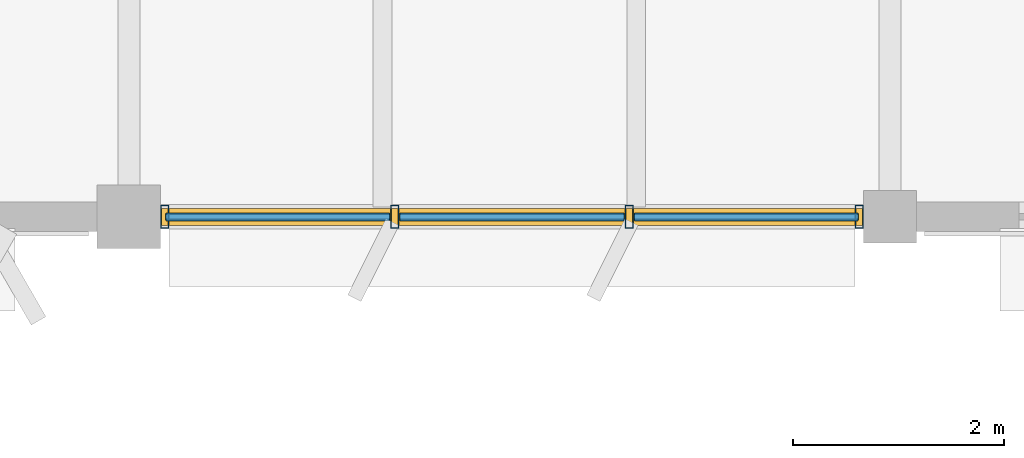
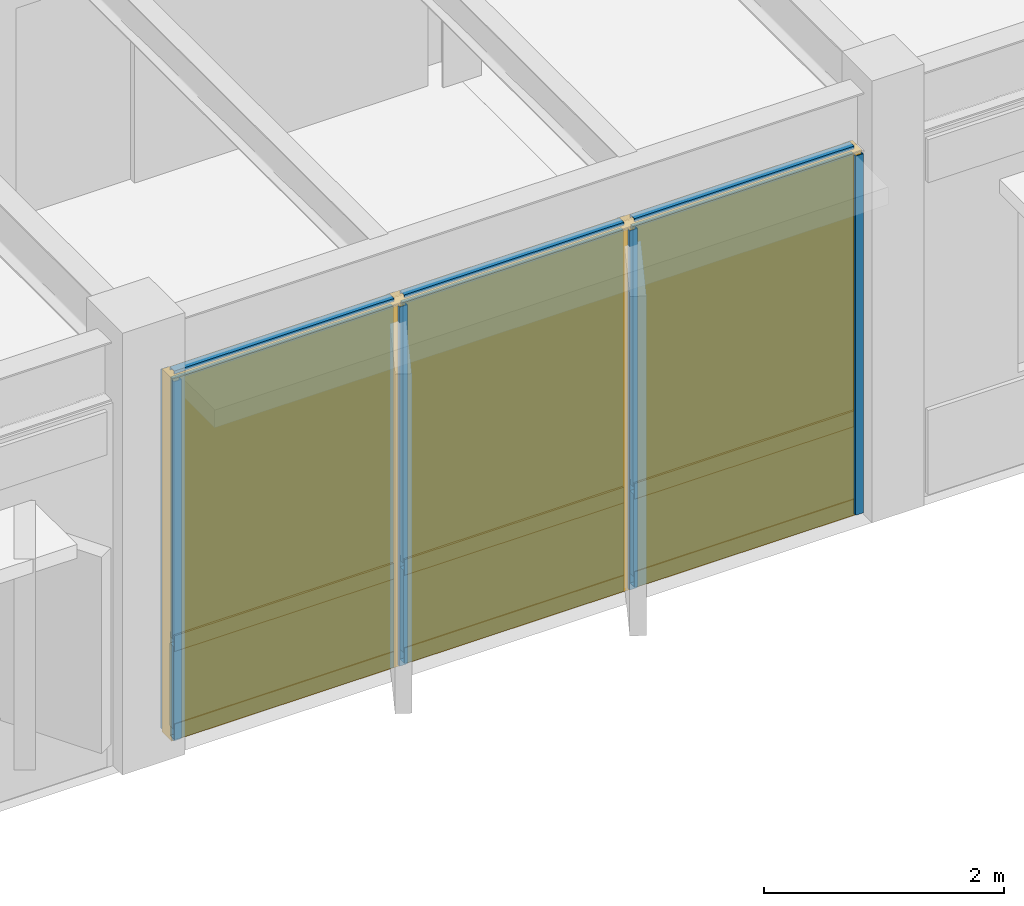
# One storey, part 64 of 92: 13 members, 6 plates, 1 curtain wall.
"""IFC4 building model written with IfcOpenShell, lengths in metres."""

from ifc_helpers import new_model, si_unit, direction, frame, origin, origin_2d, place, context, subcontext, project, spatial, rectangle, hollow_rectangle, extrude, material, layer, layer_set, material_profile, profile_set, type_object, element, aggregate, save


model = new_model("IFC4")

# Units and contexts
model_context = context("Model", 3, precision=1e-05, world=origin(), true_north=direction((0.0, 1.0)))
body_context = subcontext(model_context, "Body", "Model", "MODEL_VIEW")
ifc_project = project(units=[si_unit("LENGTHUNIT", "METRE"), si_unit("AREAUNIT", "SQUARE_METRE"), si_unit("VOLUMEUNIT", "CUBIC_METRE"), si_unit("PLANEANGLEUNIT", "RADIAN"), si_unit("MASSUNIT", "GRAM", prefix="KILO")], contexts=[model_context])

# Member
ifc_material_1 = material(Name="Anodized Aluminium 6063-T6", Category="aluminium")
ifc_material_profile_1 = material_profile(ifc_material_1, hollow_rectangle(XDim=0.074951171875, YDim=0.219970703125, WallThickness=0.0048828125, at=origin_2d()), Name="ALU 75x220x5")
ifc_profile_set_1 = profile_set([ifc_material_profile_1], Name="Anodized Aluminium 6063-T6")
member_type_1 = type_object("IfcMemberType", Name="CWM-75X180", PredefinedType="MULLION", material=ifc_profile_set_1)
site_placement = place(None, origin())
building_placement = place(site_placement, origin())
storey_placement = place(building_placement, frame((0.0, 0.0, 5.39990234375)))
member_1_placement = place(storey_placement, frame((114.909912109375, 79.199951171875, 0.02001953125), z_axis=(0.0, 0.0, 1.0), x_axis=(1.0, 0.0, 0.0)))
member_1 = element("IfcMember", 1, at=member_1_placement, type_object=member_type_1, Name="Curtain wall mullion CW-L02-15-11-S-00", PredefinedType="MULLION", context=body_context, shape_type="SweptSolid", body=[
    extrude(hollow_rectangle(XDim=0.074951171875, YDim=0.219970703125, WallThickness=0.0048828125, at=origin_2d()), origin(), (0.0, 0.0, 1.0), 3.657958984375),
])

member_2_placement = place(storey_placement, frame((112.7333984375, 79.199951171875, 0.02001953125), z_axis=(0.0, 0.0, 1.0), x_axis=(1.0, 0.0, 0.0)))
member_2 = element("IfcMember", 2, at=member_2_placement, type_object=member_type_1, Name="Curtain wall mullion CW-L02-15-11-S-01", PredefinedType="MULLION", context=body_context, shape_type="SweptSolid", body=[
    extrude(hollow_rectangle(XDim=0.074951171875, YDim=0.219970703125, WallThickness=0.0048828125, at=origin_2d()), origin(), (0.0, 0.0, 1.0), 3.657958984375),
])

member_3_placement = place(storey_placement, frame((110.5166015625, 79.199951171875, 0.02001953125), z_axis=(0.0, 0.0, 1.0), x_axis=(1.0, 0.0, 0.0)))
member_3 = element("IfcMember", 3, at=member_3_placement, type_object=member_type_1, Name="Curtain wall mullion CW-L02-15-11-S-02", PredefinedType="MULLION", context=body_context, shape_type="SweptSolid", body=[
    extrude(hollow_rectangle(XDim=0.074951171875, YDim=0.219970703125, WallThickness=0.0048828125, at=origin_2d()), origin(), (0.0, 0.0, 1.0), 3.657958984375),
])

member_4_placement = place(storey_placement, frame((108.340087890625, 79.199951171875, 0.02001953125), z_axis=(0.0, 0.0, 1.0), x_axis=(1.0, 0.0, 0.0)))
member_4 = element("IfcMember", 4, at=member_4_placement, type_object=member_type_1, Name="Curtain wall mullion CW-L02-15-11-S-03", PredefinedType="MULLION", context=body_context, shape_type="SweptSolid", body=[
    extrude(hollow_rectangle(XDim=0.074951171875, YDim=0.219970703125, WallThickness=0.0048828125, at=origin_2d()), origin(), (0.0, 0.0, 1.0), 3.657958984375),
])

ifc_material_profile_2 = material_profile(ifc_material_1, hollow_rectangle(XDim=0.074951171875, YDim=0.159912109375, WallThickness=0.00390625, at=origin_2d()), Name="ALU 75x160x4")
ifc_profile_set_2 = profile_set([ifc_material_profile_2], Name="Anodized Aluminium 6063-T6")
member_type_2 = type_object("IfcMemberType", Name="CWT-75X150", PredefinedType="USERDEFINED", material=ifc_profile_set_2)
member_5_placement = place(storey_placement, frame((114.89990234375, 79.199951171875, 0.050048828125), z_axis=(-1.0, 0.0, 0.0), x_axis=(0.0, -1.0, 0.0)))
member_5 = element("IfcMember", 5, at=member_5_placement, type_object=member_type_2, Name="Curtain wall transom CW-L02-15-11-S-1.01", ObjectType="TRANSOM", PredefinedType="USERDEFINED", context=body_context, shape_type="SweptSolid", body=[
    extrude(hollow_rectangle(XDim=0.074951171875, YDim=0.159912109375, WallThickness=0.00390625, at=origin_2d()), origin(), (0.0, 0.0, 1.0), 2.11669921875),
])

member_6_placement = place(storey_placement, frame((112.683349609375, 79.199951171875, 0.050048828125), z_axis=(-1.0, 0.0, 0.0), x_axis=(0.0, -1.0, 0.0)))
member_6 = element("IfcMember", 6, at=member_6_placement, type_object=member_type_2, Name="Curtain wall transom CW-L02-15-11-S-1.02", ObjectType="TRANSOM", PredefinedType="USERDEFINED", context=body_context, shape_type="SweptSolid", body=[
    extrude(hollow_rectangle(XDim=0.074951171875, YDim=0.159912109375, WallThickness=0.00390625, at=origin_2d()), origin(), (0.0, 0.0, 1.0), 2.11669921875),
])

member_7_placement = place(storey_placement, frame((110.466796875, 79.199951171875, 0.050048828125), z_axis=(-1.0, 0.0, 0.0), x_axis=(0.0, -1.0, 0.0)))
member_7 = element("IfcMember", 7, at=member_7_placement, type_object=member_type_2, Name="Curtain wall transom CW-L02-15-11-S-1.03", ObjectType="TRANSOM", PredefinedType="USERDEFINED", context=body_context, shape_type="SweptSolid", body=[
    extrude(hollow_rectangle(XDim=0.074951171875, YDim=0.159912109375, WallThickness=0.00390625, at=origin_2d()), origin(), (0.0, 0.0, 1.0), 2.11669921875),
])

member_8_placement = place(storey_placement, frame((114.89990234375, 79.199951171875, 0.9501953125), z_axis=(-1.0, 0.0, 0.0), x_axis=(0.0, -1.0, 0.0)))
member_8 = element("IfcMember", 8, at=member_8_placement, type_object=member_type_2, Name="Curtain wall transom CW-L02-15-11-S-2.01", ObjectType="TRANSOM", PredefinedType="USERDEFINED", context=body_context, shape_type="SweptSolid", body=[
    extrude(hollow_rectangle(XDim=0.074951171875, YDim=0.159912109375, WallThickness=0.00390625, at=origin_2d()), origin(), (0.0, 0.0, 1.0), 2.11669921875),
])

member_9_placement = place(storey_placement, frame((112.683349609375, 79.199951171875, 0.9501953125), z_axis=(-1.0, 0.0, 0.0), x_axis=(0.0, -1.0, 0.0)))
member_9 = element("IfcMember", 9, at=member_9_placement, type_object=member_type_2, Name="Curtain wall transom CW-L02-15-11-S-2.02", ObjectType="TRANSOM", PredefinedType="USERDEFINED", context=body_context, shape_type="SweptSolid", body=[
    extrude(hollow_rectangle(XDim=0.074951171875, YDim=0.159912109375, WallThickness=0.00390625, at=origin_2d()), origin(), (0.0, 0.0, 1.0), 2.11669921875),
])

member_10_placement = place(storey_placement, frame((110.466796875, 79.199951171875, 0.9501953125), z_axis=(-1.0, 0.0, 0.0), x_axis=(0.0, -1.0, 0.0)))
member_10 = element("IfcMember", 10, at=member_10_placement, type_object=member_type_2, Name="Curtain wall transom CW-L02-15-11-S-2.03", ObjectType="TRANSOM", PredefinedType="USERDEFINED", context=body_context, shape_type="SweptSolid", body=[
    extrude(hollow_rectangle(XDim=0.074951171875, YDim=0.159912109375, WallThickness=0.00390625, at=origin_2d()), origin(), (0.0, 0.0, 1.0), 2.11669921875),
])

member_11_placement = place(storey_placement, frame((114.89990234375, 79.199951171875, 3.648193359375), z_axis=(-1.0, 0.0, 0.0), x_axis=(0.0, -1.0, 0.0)))
member_11 = element("IfcMember", 11, at=member_11_placement, type_object=member_type_2, Name="Curtain wall transom CW-L02-15-11-S-3.01", ObjectType="TRANSOM", PredefinedType="USERDEFINED", context=body_context, shape_type="SweptSolid", body=[
    extrude(hollow_rectangle(XDim=0.074951171875, YDim=0.159912109375, WallThickness=0.00390625, at=origin_2d()), origin(), (0.0, 0.0, 1.0), 2.11669921875),
])

member_12_placement = place(storey_placement, frame((112.683349609375, 79.199951171875, 3.648193359375), z_axis=(-1.0, 0.0, 0.0), x_axis=(0.0, -1.0, 0.0)))
member_12 = element("IfcMember", 12, at=member_12_placement, type_object=member_type_2, Name="Curtain wall transom CW-L02-15-11-S-3.02", ObjectType="TRANSOM", PredefinedType="USERDEFINED", context=body_context, shape_type="SweptSolid", body=[
    extrude(hollow_rectangle(XDim=0.074951171875, YDim=0.159912109375, WallThickness=0.00390625, at=origin_2d()), origin(), (0.0, 0.0, 1.0), 2.11669921875),
])

member_13_placement = place(storey_placement, frame((110.466796875, 79.199951171875, 3.648193359375), z_axis=(-1.0, 0.0, 0.0), x_axis=(0.0, -1.0, 0.0)))
member_13 = element("IfcMember", 13, at=member_13_placement, type_object=member_type_2, Name="Curtain wall transom CW-L02-15-11-S-3.03", ObjectType="TRANSOM", PredefinedType="USERDEFINED", context=body_context, shape_type="SweptSolid", body=[
    extrude(hollow_rectangle(XDim=0.074951171875, YDim=0.159912109375, WallThickness=0.00390625, at=origin_2d()), origin(), (0.0, 0.0, 1.0), 2.11669921875),
])

# Plate
ifc_material_2 = material(Name="Acoustic Laminated Low-E Glazing", Category="glass")
ifc_layer_1 = layer(ifc_material_2, 0.0439453125)
ifc_layer_set_1 = layer_set([ifc_layer_1], Name="Acoustic Laminated Low-E Glazing")
plate_type_1 = type_object("IfcPlateType", Name="CWP-IGU-44", PredefinedType="CURTAIN_PANEL", material=ifc_layer_set_1)
plate_1_placement = place(storey_placement, frame((113.841796875, 79.199951171875, 0.990234375), z_axis=(0.0, 0.0, 1.0), x_axis=(-1.0, 0.0, 0.0)))
plate_1 = element("IfcPlate", 14, at=plate_1_placement, type_object=plate_type_1, Name="Curtain wall vision glazing CW-L02-15-11-S-01", PredefinedType="CURTAIN_PANEL", context=body_context, shape_type="SweptSolid", body=[
    extrude(rectangle(XDim=2.126708984375, YDim=0.0400390625, at=origin_2d()), origin(), (0.0, 0.0, 1.0), 2.64794921875),
])

plate_2_placement = place(storey_placement, frame((111.625, 79.199951171875, 0.990234375), z_axis=(0.0, 0.0, 1.0), x_axis=(-1.0, 0.0, 0.0)))
plate_2 = element("IfcPlate", 15, at=plate_2_placement, type_object=plate_type_1, Name="Curtain wall vision glazing CW-L02-15-11-S-02", PredefinedType="CURTAIN_PANEL", context=body_context, shape_type="SweptSolid", body=[
    extrude(rectangle(XDim=2.126708984375, YDim=0.0400390625, at=origin_2d()), origin(), (0.0, 0.0, 1.0), 2.64794921875),
])

plate_3_placement = place(storey_placement, frame((109.408203125, 79.199951171875, 0.990234375), z_axis=(0.0, 0.0, 1.0), x_axis=(-1.0, 0.0, 0.0)))
plate_3 = element("IfcPlate", 16, at=plate_3_placement, type_object=plate_type_1, Name="Curtain wall vision glazing CW-L02-15-11-S-03", PredefinedType="CURTAIN_PANEL", context=body_context, shape_type="SweptSolid", body=[
    extrude(rectangle(XDim=2.126708984375, YDim=0.0400390625, at=origin_2d()), origin(), (0.0, 0.0, 1.0), 2.64794921875),
])

ifc_material_3 = material(Name="Insulated Stone-Composite Spandrel", Category="masonry")
ifc_layer_2 = layer(ifc_material_3, 0.068115234375)
ifc_layer_set_2 = layer_set([ifc_layer_2], Name="Insulated Stone-Composite Spandrel")
plate_type_2 = type_object("IfcPlateType", Name="CWP-SPN-68", PredefinedType="CURTAIN_PANEL", material=ifc_layer_set_2)
plate_4_placement = place(storey_placement, frame((113.841796875, 79.199951171875, 0.080078125), z_axis=(0.0, 0.0, 1.0), x_axis=(-1.0, 0.0, 0.0)))
plate_4 = element("IfcPlate", 17, at=plate_4_placement, type_object=plate_type_2, Name="Curtain wall spandrel panel CW-L02-15-11-S-01", PredefinedType="CURTAIN_PANEL", context=body_context, shape_type="SweptSolid", body=[
    extrude(rectangle(XDim=2.126708984375, YDim=0.06005859375, at=origin_2d()), origin(), (0.0, 0.0, 1.0), 0.840087890625),
])

plate_5_placement = place(storey_placement, frame((111.625, 79.199951171875, 0.080078125), z_axis=(0.0, 0.0, 1.0), x_axis=(-1.0, 0.0, 0.0)))
plate_5 = element("IfcPlate", 18, at=plate_5_placement, type_object=plate_type_2, Name="Curtain wall spandrel panel CW-L02-15-11-S-02", PredefinedType="CURTAIN_PANEL", context=body_context, shape_type="SweptSolid", body=[
    extrude(rectangle(XDim=2.126708984375, YDim=0.06005859375, at=origin_2d()), origin(), (0.0, 0.0, 1.0), 0.840087890625),
])

plate_6_placement = place(storey_placement, frame((109.408203125, 79.199951171875, 0.080078125), z_axis=(0.0, 0.0, 1.0), x_axis=(-1.0, 0.0, 0.0)))
plate_6 = element("IfcPlate", 19, at=plate_6_placement, type_object=plate_type_2, Name="Curtain wall spandrel panel CW-L02-15-11-S-03", PredefinedType="CURTAIN_PANEL", context=body_context, shape_type="SweptSolid", body=[
    extrude(rectangle(XDim=2.126708984375, YDim=0.06005859375, at=origin_2d()), origin(), (0.0, 0.0, 1.0), 0.840087890625),
])

# Site, building, storey
site = spatial("IfcSite", under=ifc_project, at=site_placement, CompositionType="ELEMENT")
building = spatial("IfcBuilding", under=site, at=building_placement, Name="Sillqori Civic Hall", CompositionType="ELEMENT")
storey = spatial("IfcBuildingStorey", under=building, at=storey_placement, Name="L02", CompositionType="ELEMENT", Elevation=5.39990234375)

# Curtain wall
ifc_material_4 = material(Name="Anodized Aluminium Curtain Wall System", Category="aluminium")
curtain_wall_type = type_object("IfcCurtainWallType", Name="CW-GL-430", PredefinedType="NOTDEFINED", material=ifc_material_4)
curtain_wall_placement = place(storey_placement, frame((111.625, 79.199951171875, 0.0), z_axis=(0.0, 0.0, 1.0), x_axis=(-1.0, 0.0, 0.0)))
curtain_wall = element("IfcCurtainWall", 20, at=curtain_wall_placement, inside=storey, type_object=curtain_wall_type, Name="L02 unitised curtain wall CW-L02-15-11-S", PredefinedType="NOTDEFINED", context=body_context, shape_type="SweptSolid", body=[
    extrude(rectangle(XDim=6.64990234375, YDim=0.159912109375, at=origin_2d()), origin(), (0.0, 0.0, 1.0), 3.697998046875),
])

aggregate(curtain_wall, [member_1, member_2, member_3, member_4, member_5, member_6, member_7, member_8, member_9, member_10, member_11, member_12, member_13, plate_4, plate_1, plate_5, plate_2, plate_6, plate_3])

save(model, "model.ifc")
